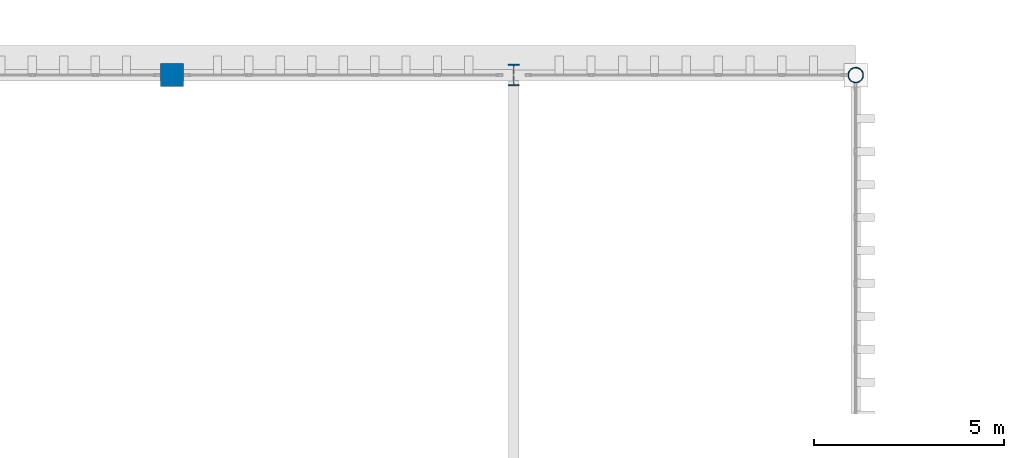
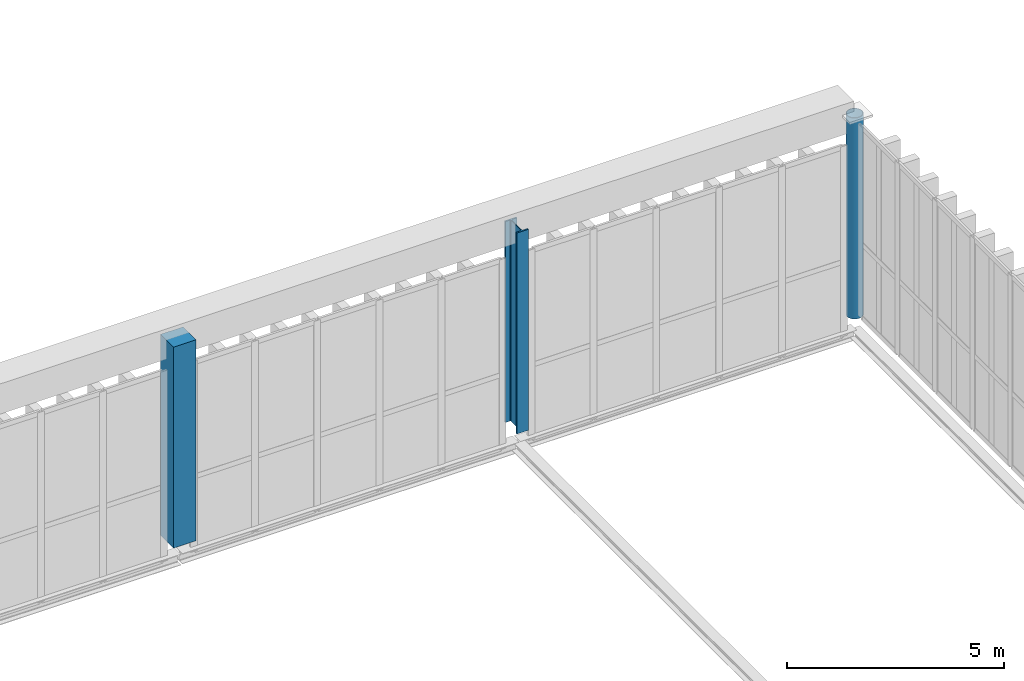
# One storey, part 24 of 237: 3 columns.
"""IFC4 building model written with IfcOpenShell, lengths in metres."""

import ifcopenshell
import ifcopenshell.guid

model = None  # the IFC model being written
_history = None  # IfcOwnerHistory: only IFC2X3 demands one
_inside = {}  # id of a spatial element -> (the spatial element, [elements in it])
_under = {}  # id of a project, library or spatial element -> (it, [spatial elements below it])
_declared = {}  # id of a project -> (the project, [libraries it declares])
_typed = {}  # id of a type object -> (the type object, [elements of that type])
_made_of = {}  # id of a material, layer set ... -> (it, [elements and type objects made of it])


def new_model(schema):
    """Start an empty IFC model of exactly this schema.

    Asked for "IFC4X3", IfcOpenShell would pick the latest addendum, in which some entities
    have other attributes; the version numbers below select the first issue.
    IFC2X3 requires an IfcOwnerHistory on every rooted entity: one is made here for all.
    """
    global model, _history
    if schema == "IFC4X3":
        model = ifcopenshell.file(schema_version=(4, 3, 0, 0))
    else:
        model = ifcopenshell.file(schema=schema)
    _inside.clear()
    _under.clear()
    _declared.clear()
    _typed.clear()
    _made_of.clear()
    _history = None
    if model.schema == "IFC2X3":
        org = make("IfcOrganization", Name="unknown")
        user = make(
            "IfcPersonAndOrganization",
            ThePerson=make("IfcPerson", FamilyName="unknown"),
            TheOrganization=org,
        )
        app = make(
            "IfcApplication",
            ApplicationDeveloper=org,
            Version="unknown",
            ApplicationFullName="unknown",
            ApplicationIdentifier="unknown",
        )
        _history = make(
            "IfcOwnerHistory",
            OwningUser=user,
            OwningApplication=app,
            ChangeAction="ADDED",
            CreationDate=0,
        )
    return model


def make(cls, **values):
    """One entity of the class cls with the attributes given. An attribute that is None is left unset."""
    return model.create_entity(
        cls, **{name: value for name, value in values.items() if value is not None}
    )


def rooted(cls, **values):
    """An entity with a GlobalId (a new one), such as an element, a storey or a relation."""
    return make(cls, GlobalId=ifcopenshell.guid.new(), OwnerHistory=_history, **values)


def si_unit(unit_type, name, prefix=None):
    """IfcSIUnit, for example si_unit("LENGTHUNIT", "METRE", prefix="MILLI")."""
    return make("IfcSIUnit", UnitType=unit_type, Prefix=prefix, Name=name)


def assignment(units):
    """IfcUnitAssignment: the units of a project."""
    return None if units is None else make("IfcUnitAssignment", Units=units)


def point(xyz):
    """IfcCartesianPoint."""
    return None if xyz is None else make("IfcCartesianPoint", Coordinates=xyz)


def direction(xyz):
    """IfcDirection."""
    return None if xyz is None else make("IfcDirection", DirectionRatios=xyz)


def frame(location, z_axis=None, x_axis=None):
    """IfcAxis2Placement3D, a coordinate frame: its origin and axes. An axis left out is left unset."""
    return make(
        "IfcAxis2Placement3D",
        Location=point(location),
        Axis=direction(z_axis),
        RefDirection=direction(x_axis),
    )


def frame_2d(location, x_axis=None):
    """IfcAxis2Placement2D, a coordinate frame in the plane: its origin and x axis."""
    return make(
        "IfcAxis2Placement2D", Location=point(location), RefDirection=direction(x_axis)
    )


def origin():
    """The frame at (0, 0, 0) with its axes left unset."""
    return frame((0.0, 0.0, 0.0))


def origin_2d():
    """The frame at (0, 0) in the plane with its x axis left unset."""
    return frame_2d((0.0, 0.0))


def place(relative_to, where):
    """IfcLocalPlacement: puts the frame where relative to a parent placement (None: the world)."""
    return make(
        "IfcLocalPlacement", PlacementRelTo=relative_to, RelativePlacement=where
    )


def context(
    kind, dimensions, precision=None, world=None, true_north=None, identifier=None
):
    """IfcGeometricRepresentationContext, for example the 3D "Model" context."""
    return make(
        "IfcGeometricRepresentationContext",
        ContextIdentifier=identifier,
        ContextType=kind,
        CoordinateSpaceDimension=dimensions,
        Precision=precision,
        WorldCoordinateSystem=world,
        TrueNorth=true_north,
    )


def subcontext(parent, identifier, kind, view, scale=None):
    """IfcGeometricRepresentationSubContext, for example "Body" below "Model"."""
    return make(
        "IfcGeometricRepresentationSubContext",
        ContextIdentifier=identifier,
        ContextType=kind,
        ParentContext=parent,
        TargetScale=scale,
        TargetView=view,
    )


def project(units=None, contexts=None):
    """IfcProject with its units and contexts."""
    return rooted(
        "IfcProject",
        Name="project",
        RepresentationContexts=contexts,
        UnitsInContext=assignment(units),
    )


def spatial(cls, under=None, at=None, **own):
    """A site, building, storey or space (cls), placed at a placement, below another one or the project."""
    s = rooted(cls, ObjectPlacement=at, **own)
    if under is not None:
        _under.setdefault(under.id(), (under, []))[1].append(s)
    return s


def profile(cls, at=None, kind="AREA", **sizes):
    """A parametric profile (cls). Its sizes go by their IFC names, for example OverallWidth=200.0."""
    return make(cls, ProfileType=kind, Position=at, **sizes)


def rectangle(**sizes):
    """IfcRectangleProfileDef."""
    return profile("IfcRectangleProfileDef", **sizes)


def hollow_circle(**sizes):
    """IfcCircleHollowProfileDef."""
    return profile("IfcCircleHollowProfileDef", **sizes)


def i_section(**sizes):
    """IfcIShapeProfileDef."""
    return profile("IfcIShapeProfileDef", **sizes)


def extrude(swept, where, along, depth):
    """IfcExtrudedAreaSolid: the profile swept, set in the frame where, extruded along a direction by depth."""
    return make(
        "IfcExtrudedAreaSolid",
        SweptArea=swept,
        Position=where,
        ExtrudedDirection=direction(along),
        Depth=depth,
    )


def shape(context_of_items, identifier, shape_type, items):
    """IfcShapeRepresentation: the items that make up one representation, for example the "Body"."""
    return make(
        "IfcShapeRepresentation",
        ContextOfItems=context_of_items,
        RepresentationIdentifier=identifier,
        RepresentationType=shape_type,
        Items=items,
    )


def material(Name=None, Category=None):
    """IfcMaterial."""
    return make("IfcMaterial", Name=Name, Category=Category)


def material_profile(
    of_material, cross_section, Name=None, Category=None, Priority=None
):
    """IfcMaterialProfile: a cross section and its material."""
    return make(
        "IfcMaterialProfile",
        Name=Name,
        Material=of_material,
        Profile=cross_section,
        Priority=Priority,
        Category=Category,
    )


def profile_set(profiles, Name=None, composite=None):
    """IfcMaterialProfileSet."""
    return make(
        "IfcMaterialProfileSet",
        Name=Name,
        MaterialProfiles=profiles,
        CompositeProfile=composite,
    )


def made_of(thing, what):
    """Note that an element or type object is made of a material, layer set ...; save() writes the relation."""
    if what is not None:
        _made_of.setdefault(what.id(), (what, []))[1].append(thing)
    return thing


def type_object(cls, material=None, **own):
    """A type object (cls), such as IfcWallType, which elements share."""
    return made_of(rooted(cls, **own), material)


def element(
    cls,
    number,
    at=None,
    inside=None,
    cuts=None,
    type_object=None,
    material=None,
    context=None,
    identifier="Body",
    shape_type=None,
    held_by="IfcProductDefinitionShape",
    body=None,
    shapes=None,
    **own,
):
    """One element of the class cls, such as IfcWall. Its Tag is "e" and its number.

    at: its placement. inside: the storey or other place that contains it. cuts: it is an
    opening in that element (IfcRelVoidsElement). A single representation is given by context,
    identifier, shape_type and body (its items); several are given by shapes. held_by: the class
    of the entity that holds the representations. save() writes the other relations.
    """
    e = rooted(cls, Tag="e%d" % number, ObjectPlacement=at, **own)
    if body is not None:
        shapes = [shape(context, identifier, shape_type, body)]
    if shapes is not None:
        e.Representation = make(held_by, Representations=shapes)
    if inside is not None:
        _inside.setdefault(inside.id(), (inside, []))[1].append(e)
    if cuts is not None:
        rooted(
            "IfcRelVoidsElement", RelatingBuildingElement=cuts, RelatedOpeningElement=e
        )
    if type_object is not None:
        _typed.setdefault(type_object.id(), (type_object, []))[1].append(e)
    return made_of(e, material)


def aggregate(whole, parts):
    """IfcRelAggregates: a whole, such as a stair, and the parts it consists of."""
    return rooted("IfcRelAggregates", RelatingObject=whole, RelatedObjects=parts)


def save(model, path):
    """Write the relations noted so far, then the file.

    IfcRelAggregates (storeys below a building ...), IfcRelContainedInSpatialStructure (elements
    in a storey), IfcRelDefinesByType, IfcRelAssociatesMaterial and IfcRelDeclares: one each for
    every whole, place, type object, material and project.
    """
    for whole, parts in _under.values():
        aggregate(whole, parts)
    for where, things in _inside.values():
        rooted(
            "IfcRelContainedInSpatialStructure",
            RelatedElements=things,
            RelatingStructure=where,
        )
    for kind, things in _typed.values():
        rooted("IfcRelDefinesByType", RelatedObjects=things, RelatingType=kind)
    for what, things in _made_of.values():
        rooted("IfcRelAssociatesMaterial", RelatedObjects=things, RelatingMaterial=what)
    for by, libraries in _declared.values():
        rooted("IfcRelDeclares", RelatingContext=by, RelatedDefinitions=libraries)
    model.write(path)


model = new_model("IFC4")

# Units and contexts
model_context = context("Model", 3, precision=1e-05, world=origin(), true_north=direction((0.0, 1.0)))
body_context = subcontext(model_context, "Body", "Model", "MODEL_VIEW")
ifc_project = project(units=[si_unit("LENGTHUNIT", "METRE"), si_unit("AREAUNIT", "SQUARE_METRE"), si_unit("VOLUMEUNIT", "CUBIC_METRE"), si_unit("PLANEANGLEUNIT", "RADIAN"), si_unit("MASSUNIT", "GRAM", prefix="KILO")], contexts=[model_context])

# Site, building, storey
site_placement = place(None, origin())
site = spatial("IfcSite", under=ifc_project, at=site_placement, CompositionType="ELEMENT")
building_placement = place(site_placement, origin())
building = spatial("IfcBuilding", under=site, at=building_placement, Name="Barlavento Convention Centre", CompositionType="ELEMENT")
storey_placement = place(building_placement, frame((0.0, 0.0, 12.0)))
storey = spatial("IfcBuildingStorey", under=building, at=storey_placement, Name="L02", CompositionType="ELEMENT", Elevation=12.0)

# Columns
ifc_material_1 = material(Name="Steel S355", Category="steel")
ifc_material_profile_1 = material_profile(ifc_material_1, hollow_circle(Radius=0.203125, WallThickness=0.01611328125, at=origin_2d()), Name="CHS 406.4x16.0")
ifc_profile_set_1 = profile_set([ifc_material_profile_1], Name="Steel S355")
column_type_1 = type_object("IfcColumnType", Name="STR-COL-CHS406", PredefinedType="COLUMN", material=ifc_profile_set_1)
column_1_placement = place(storey_placement, frame((126.0, 135.0, 0.0), z_axis=(0.0, 0.0, 1.0), x_axis=(1.0, 0.0, 0.0)))
element("IfcColumn", 1, at=column_1_placement, inside=storey, type_object=column_type_1, Name="L02 column SC14", PredefinedType="COLUMN", context=body_context, shape_type="SweptSolid", body=[
    extrude(hollow_circle(Radius=0.203125, WallThickness=0.01611328125, at=origin_2d()), origin(), (0.0, 0.0, 1.0), 5.655029296875),
])
ifc_material_profile_2 = material_profile(ifc_material_1, i_section(OverallWidth=0.305908203125, OverallDepth=0.572021484375, WebThickness=0.02099609375, FlangeThickness=0.0400390625, FilletRadius=0.027099609375, at=origin_2d()), Name="HEM 550")
ifc_profile_set_2 = profile_set([ifc_material_profile_2], Name="Steel S355")
column_type_2 = type_object("IfcColumnType", Name="STR-COL-HEM550", PredefinedType="COLUMN", material=ifc_profile_set_2)
column_2_placement = place(storey_placement, frame((117.0, 135.0, 0.0), z_axis=(0.0, 0.0, 1.0), x_axis=(1.0, 0.0, 0.0)))
element("IfcColumn", 2, at=column_2_placement, inside=storey, type_object=column_type_2, Name="L02 column SC06", PredefinedType="COLUMN", context=body_context, shape_type="SweptSolid", body=[
    extrude(i_section(OverallWidth=0.305908203125, OverallDepth=0.572021484375, WebThickness=0.02099609375, FlangeThickness=0.0400390625, FilletRadius=0.027099609375, at=origin_2d()), origin(), (0.0, 0.0, 1.0), 5.655029296875),
])
ifc_material_2 = material(Name="Concrete C40/50", Category="concrete")
ifc_material_profile_3 = material_profile(ifc_material_2, rectangle(XDim=0.60009765625, YDim=0.60009765625, at=origin_2d()), Name="RC 600x600")
ifc_profile_set_3 = profile_set([ifc_material_profile_3], Name="Concrete C40/50")
column_type_3 = type_object("IfcColumnType", Name="STR-COL-RC600", PredefinedType="COLUMN", material=ifc_profile_set_3)
column_3_placement = place(storey_placement, frame((108.0, 135.0, 0.0), z_axis=(0.0, 0.0, 1.0), x_axis=(1.0, 0.0, 0.0)))
element("IfcColumn", 3, at=column_3_placement, inside=storey, type_object=column_type_3, Name="L02 column CC07", PredefinedType="COLUMN", context=body_context, shape_type="SweptSolid", body=[
    extrude(rectangle(XDim=0.60009765625, YDim=0.60009765625, at=origin_2d()), origin(), (0.0, 0.0, 1.0), 5.655029296875),
])

save(model, "model.ifc")
